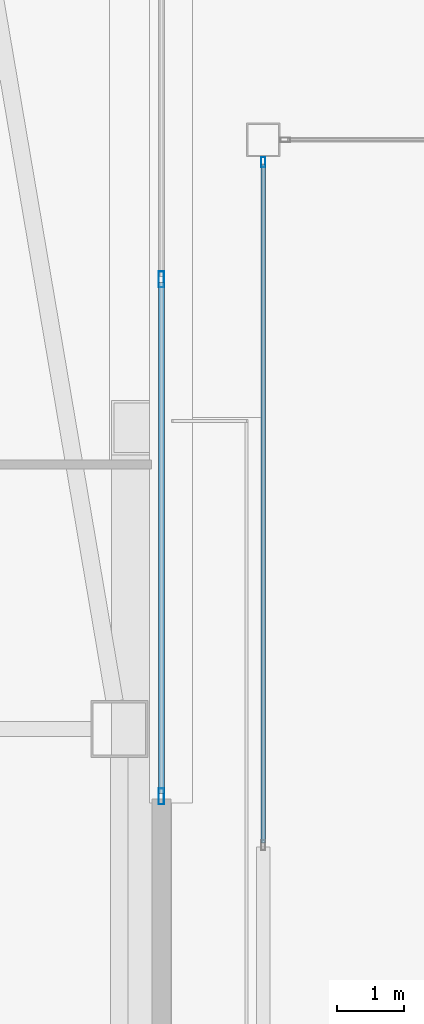
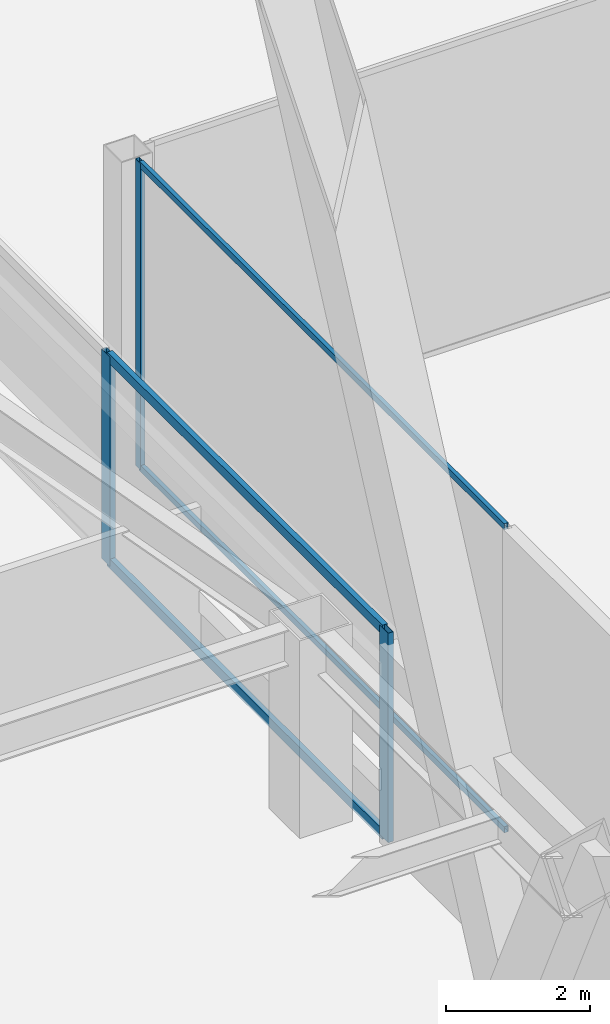
# One storey, part 42 of 83: 7 members, 2 elements without a shape of their own.
"""IFC4 building model written with IfcOpenShell, lengths in metres."""

from ifc_helpers import new_model, si_unit, direction, frame, origin, origin_2d, place, context, subcontext, project, spatial, hollow_rectangle, extrude, material, material_profile, profile_set, type_object, element, aggregate, save


model = new_model("IFC4")

# Units and contexts
model_context = context("Model", 3, precision=1e-05, world=origin(), true_north=direction((0.0, 1.0)))
body_context = subcontext(model_context, "Body", "Model", "MODEL_VIEW")
ifc_project = project(units=[si_unit("LENGTHUNIT", "METRE"), si_unit("AREAUNIT", "SQUARE_METRE"), si_unit("VOLUMEUNIT", "CUBIC_METRE"), si_unit("PLANEANGLEUNIT", "RADIAN"), si_unit("MASSUNIT", "GRAM", prefix="KILO")], contexts=[model_context])

# Site, building, storey
site_placement = place(None, origin())
site = spatial("IfcSite", under=ifc_project, at=site_placement, CompositionType="ELEMENT")
building_placement = place(site_placement, origin())
building = spatial("IfcBuilding", under=site, at=building_placement, Name="Tashvorn Skyway Center", CompositionType="ELEMENT")
storey_placement = place(building_placement, frame((0.0, 0.0, 24.60009765625)))
storey = spatial("IfcBuildingStorey", under=building, at=storey_placement, Name="L05", CompositionType="ELEMENT", Elevation=24.60009765625)

# Curtain wall, member
ifc_material = material(Name="Thermally broken bronze-anodized aluminium 6063-T6", Category="aluminium")
curtain_wall_type_1 = type_object("IfcCurtainWallType", Name="CW-CW-SKY", PredefinedType="NOTDEFINED", material=ifc_material)
curtain_wall_1_placement = place(storey_placement, origin())
curtain_wall_1 = element("IfcCurtainWall", 1, at=curtain_wall_1_placement, inside=storey, type_object=curtain_wall_type_1, Name="Station Concourse Monitor West Clerestory Curtain Wall Glazing Group 3", PredefinedType="NOTDEFINED")
ifc_material_profile_1 = material_profile(ifc_material, hollow_rectangle(XDim=0.06494140625, YDim=0.14990234375, WallThickness=0.00390625, at=origin_2d()), Name="ALU-MULL-65x150")
ifc_profile_set_1 = profile_set([ifc_material_profile_1], Name="Thermally broken bronze-anodized aluminium 6063-T6")
member_type_1 = type_object("IfcMemberType", Name="CWM-CW-SKY", PredefinedType="MULLION", material=ifc_profile_set_1)
member_1_placement = place(storey_placement, frame((66.39990234375, 45.867431640625, 0.0), z_axis=(0.0, 0.0, 1.0), x_axis=(-1.0, 0.0, 0.0)))
member_1 = element("IfcMember", 2, at=member_1_placement, type_object=member_type_1, Name="CW-SKY mullion 2", PredefinedType="MULLION", context=body_context, shape_type="SweptSolid", body=[
    extrude(hollow_rectangle(XDim=0.06494140625, YDim=0.14990234375, WallThickness=0.00390625, at=origin_2d()), origin(), (0.0, 0.0, 1.0), 5.199951171875),
])

# Curtain wall, members
curtain_wall_type_2 = type_object("IfcCurtainWallType", Name="CW-CW-Z1", PredefinedType="NOTDEFINED", material=ifc_material)
curtain_wall_2_placement = place(storey_placement, origin())
curtain_wall_2 = element("IfcCurtainWall", 3, at=curtain_wall_2_placement, inside=storey, type_object=curtain_wall_type_2, Name="Tower 1 L05 East Curtain Wall L", PredefinedType="NOTDEFINED")
ifc_material_profile_2 = material_profile(ifc_material, hollow_rectangle(XDim=0.0849609375, YDim=0.239990234375, WallThickness=0.0048828125, at=origin_2d()), Name="ALU-MULL-85x240")
ifc_profile_set_2 = profile_set([ifc_material_profile_2], Name="Thermally broken bronze-anodized aluminium 6063-T6")
member_type_2 = type_object("IfcMemberType", Name="CWM-CW-Z1", PredefinedType="MULLION", material=ifc_profile_set_2)
member_2_placement = place(storey_placement, frame((64.8798828125, 44.114990234375, 0.0), z_axis=(0.0, 0.0, 1.0), x_axis=(1.0, 0.0, 0.0)))
member_2 = element("IfcMember", 4, at=member_2_placement, type_object=member_type_2, Name="CW-Z1 mullion 2", PredefinedType="MULLION", context=body_context, shape_type="SweptSolid", body=[
    extrude(hollow_rectangle(XDim=0.0849609375, YDim=0.239990234375, WallThickness=0.0048828125, at=origin_2d()), origin(), (0.0, 0.0, 1.0), 3.5498046875),
])
member_3_placement = place(storey_placement, frame((64.8798828125, 36.392578125, 0.0), z_axis=(0.0, 0.0, 1.0), x_axis=(1.0, 0.0, 0.0)))
member_3 = element("IfcMember", 5, at=member_3_placement, type_object=member_type_2, Name="CW-Z1 mullion 3", PredefinedType="MULLION", context=body_context, shape_type="SweptSolid", body=[
    extrude(hollow_rectangle(XDim=0.0849609375, YDim=0.239990234375, WallThickness=0.0048828125, at=origin_2d()), origin(), (0.0, 0.0, 1.0), 3.5498046875),
])

# Member
ifc_material_profile_3 = material_profile(ifc_material, hollow_rectangle(XDim=0.06494140625, YDim=0.10498046875, WallThickness=0.00390625, at=origin_2d()), Name="ALU-TRAN-65x105")
ifc_profile_set_3 = profile_set([ifc_material_profile_3], Name="Thermally broken bronze-anodized aluminium 6063-T6")
member_type_3 = type_object("IfcMemberType", Name="CWT-CW-SKY", PredefinedType="USERDEFINED", material=ifc_profile_set_3)
member_4_placement = place(storey_placement, frame((66.39990234375, 35.6982421875, 0.032470703125), z_axis=(0.0, 1.0, 0.0), x_axis=(-1.0, 0.0, 0.0)))
member_4 = element("IfcMember", 6, at=member_4_placement, type_object=member_type_3, Name="CW-SKY transom 1.1", ObjectType="TRANSOM", PredefinedType="USERDEFINED", context=body_context, shape_type="SweptSolid", body=[
    extrude(hollow_rectangle(XDim=0.06494140625, YDim=0.10498046875, WallThickness=0.00390625, at=origin_2d()), origin(), (0.0, 0.0, 1.0), 10.13671875),
])

member_5_placement = place(storey_placement, frame((66.39990234375, 35.6982421875, 5.16748046875), z_axis=(0.0, 1.0, 0.0), x_axis=(-1.0, 0.0, 0.0)))
member_5 = element("IfcMember", 7, at=member_5_placement, type_object=member_type_3, Name="CW-SKY transom 1.2", ObjectType="TRANSOM", PredefinedType="USERDEFINED", context=body_context, shape_type="SweptSolid", body=[
    extrude(hollow_rectangle(XDim=0.06494140625, YDim=0.10498046875, WallThickness=0.00390625, at=origin_2d()), origin(), (0.0, 0.0, 1.0), 10.13671875),
])

aggregate(curtain_wall_1, [member_1, member_4, member_5])

ifc_material_profile_4 = material_profile(ifc_material, hollow_rectangle(XDim=0.0849609375, YDim=0.1650390625, WallThickness=0.0048828125, at=origin_2d()), Name="ALU-TRAN-85x165")
ifc_profile_set_4 = profile_set([ifc_material_profile_4], Name="Thermally broken bronze-anodized aluminium 6063-T6")
member_type_4 = type_object("IfcMemberType", Name="CWT-CW-Z1", PredefinedType="USERDEFINED", material=ifc_profile_set_4)
member_6_placement = place(storey_placement, frame((64.8798828125, 44.072509765625, 0.04248046875), z_axis=(0.0, -1.0, 0.0), x_axis=(1.0, 0.0, 0.0)))
member_6 = element("IfcMember", 8, at=member_6_placement, type_object=member_type_4, Name="CW-Z1 transom 2.1", ObjectType="TRANSOM", PredefinedType="USERDEFINED", context=body_context, shape_type="SweptSolid", body=[
    extrude(hollow_rectangle(XDim=0.0849609375, YDim=0.1650390625, WallThickness=0.0048828125, at=origin_2d()), origin(), (0.0, 0.0, 1.0), 7.637451171875),
])

member_7_placement = place(storey_placement, frame((64.8798828125, 44.072509765625, 3.50732421875), z_axis=(0.0, -1.0, 0.0), x_axis=(1.0, 0.0, 0.0)))
member_7 = element("IfcMember", 9, at=member_7_placement, type_object=member_type_4, Name="CW-Z1 transom 2.2", ObjectType="TRANSOM", PredefinedType="USERDEFINED", context=body_context, shape_type="SweptSolid", body=[
    extrude(hollow_rectangle(XDim=0.0849609375, YDim=0.1650390625, WallThickness=0.0048828125, at=origin_2d()), origin(), (0.0, 0.0, 1.0), 7.637451171875),
])

aggregate(curtain_wall_2, [member_2, member_3, member_6, member_7])

save(model, "model.ifc")
